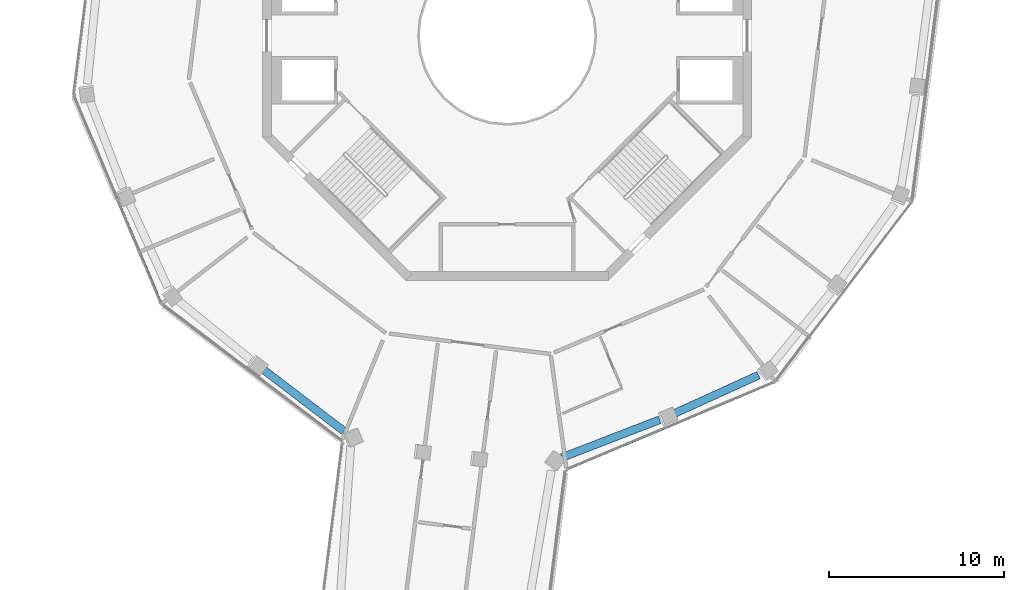
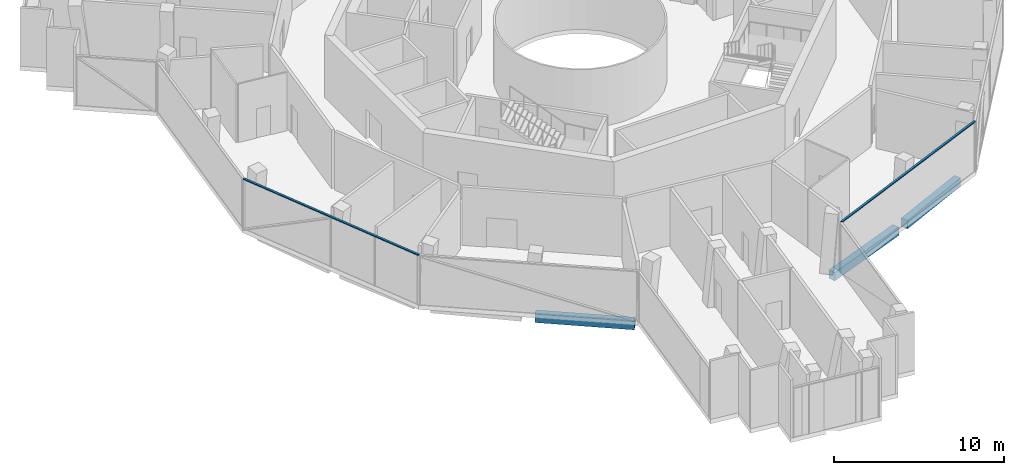
# One storey, part 3 of 18: 3 beams, 2 members, 2 elements without a shape of their own.
"""IFC4 building model written with IfcOpenShell, lengths in metres."""

from ifc_helpers import new_model, si_unit, direction, frame, origin, origin_2d, place, context, subcontext, project, spatial, rectangle, extrude, material, layer, layer_set, material_profile, profile_set, type_object, element, aggregate, save


model = new_model("IFC4")

# Units and contexts
model_context = context("Model", 3, precision=1e-05, world=origin(), true_north=direction((0.0, 1.0)))
body_context = subcontext(model_context, "Body", "Model", "MODEL_VIEW")
ifc_project = project(units=[si_unit("LENGTHUNIT", "METRE"), si_unit("AREAUNIT", "SQUARE_METRE"), si_unit("VOLUMEUNIT", "CUBIC_METRE"), si_unit("PLANEANGLEUNIT", "RADIAN"), si_unit("MASSUNIT", "GRAM", prefix="KILO")], contexts=[model_context])

# Site, building, storey
site_placement = place(None, origin())
site = spatial("IfcSite", under=ifc_project, at=site_placement, CompositionType="ELEMENT")
building_placement = place(site_placement, origin())
building = spatial("IfcBuilding", under=site, at=building_placement, Name="Verdalira Terraces Hotel", CompositionType="ELEMENT")
storey_placement = place(building_placement, frame((0.0, 0.0, 248.0)))
storey = spatial("IfcBuildingStorey", under=building, at=storey_placement, Name="L61", CompositionType="ELEMENT", Elevation=248.0)

# Curtain wall, member
ifc_material_1 = material(Name="Clear glass", Category="glass")
ifc_layer = layer(ifc_material_1, 0.179931640625)
ifc_layer_set = layer_set([ifc_layer], Name="CW4 curtain wall")
curtain_wall_type = type_object("IfcCurtainWallType", Name="CW4 curtain wall", PredefinedType="NOTDEFINED", material=ifc_layer_set)
curtain_wall_1_placement = place(storey_placement, origin())
curtain_wall_1 = element("IfcCurtainWall", 1, at=curtain_wall_1_placement, inside=storey, type_object=curtain_wall_type, Name="CW4 curtain wall L61 edge 12", PredefinedType="NOTDEFINED")
ifc_material_2 = material(Name="Terracotta frame", Category="masonry")
ifc_material_profile_1 = material_profile(ifc_material_2, rectangle(XDim=0.139893, YDim=0.070068, at=origin_2d()), Name="TR 70x140")
ifc_profile_set_1 = profile_set([ifc_material_profile_1], Name="Terracotta frame")
member_type = type_object("IfcMemberType", Name="CW4 transom 70x140", PredefinedType="USERDEFINED", material=ifc_profile_set_1)
member_1_placement = place(storey_placement, frame((-24.810791, -3.422119, 3.554932), z_axis=(0.387517107, -0.921862512, 0.0), x_axis=(0.921862512, 0.387517107, 0.0)))
member_1 = element("IfcMember", 2, at=member_1_placement, type_object=member_type, Name="CW4 transom", ObjectType="TRANSOM", PredefinedType="USERDEFINED", context=body_context, shape_type="SweptSolid", body=[
    extrude(rectangle(XDim=0.139893, YDim=0.070068, at=origin_2d()), origin(), (0.0, 0.0, 1.0), 12.919678),
])
aggregate(curtain_wall_1, [member_1])

curtain_wall_2_placement = place(storey_placement, origin())
curtain_wall_2 = element("IfcCurtainWall", 3, at=curtain_wall_2_placement, inside=storey, type_object=curtain_wall_type, Name="CW4 curtain wall L61 edge 25", PredefinedType="NOTDEFINED")
member_2_placement = place(storey_placement, frame((3.401123, -24.81958, 3.554932), z_axis=(0.921863532, 0.387514682, 0.0), x_axis=(-0.387514682, 0.921863532, 0.0)))
member_2 = element("IfcMember", 4, at=member_2_placement, type_object=member_type, Name="CW4 transom", ObjectType="TRANSOM", PredefinedType="USERDEFINED", context=body_context, shape_type="SweptSolid", body=[
    extrude(rectangle(XDim=0.139893, YDim=0.070068, at=origin_2d()), origin(), (0.0, 0.0, 1.0), 12.942383),
])
aggregate(curtain_wall_2, [member_2])

# Beams
ifc_material_3 = material(Name="Concrete C40", Category="concrete")
ifc_material_profile_2 = material_profile(ifc_material_3, rectangle(XDim=0.449951, YDim=0.600098, at=origin_2d()), Name="RC 450X600")
ifc_profile_set_2 = profile_set([ifc_material_profile_2], Name="Concrete C40")
beam_type = type_object("IfcBeamType", Name="Spandrel beam RC 450X600 C40", PredefinedType="SPANDREL", material=ifc_profile_set_2)
beam_1_placement = place(storey_placement, frame((-14.036133, -19.04834, -0.610107), z_axis=(0.794734019, -0.606957856, 0.0), x_axis=(0.606957856, 0.794734019, 0.0)))
element("IfcBeam", 5, at=beam_1_placement, inside=storey, type_object=beam_type, Name="Spandrel beam B07", PredefinedType="SPANDREL", context=body_context, shape_type="SweptSolid", body=[
    extrude(rectangle(XDim=0.449951, YDim=0.600098, at=origin_2d()), origin(), (0.0, 0.0, 1.0), 5.892334),
])
beam_2_placement = place(storey_placement, frame((3.131104, -24.146729, -0.610107), z_axis=(0.932634811, 0.360821714, 0.0), x_axis=(-0.360821714, 0.932634811, 0.0)))
element("IfcBeam", 6, at=beam_2_placement, inside=storey, type_object=beam_type, Name="Spandrel beam B11", PredefinedType="SPANDREL", context=body_context, shape_type="SweptSolid", body=[
    extrude(rectangle(XDim=0.449951, YDim=0.600098, at=origin_2d()), origin(), (0.0, 0.0, 1.0), 5.999512),
])
beam_3_placement = place(storey_placement, frame((9.484375, -21.663086, -0.610107), z_axis=(0.910268807, 0.414017752, 0.0), x_axis=(-0.414017752, 0.910268807, 0.0)))
element("IfcBeam", 7, at=beam_3_placement, inside=storey, type_object=beam_type, Name="Spandrel beam B12", PredefinedType="SPANDREL", context=body_context, shape_type="SweptSolid", body=[
    extrude(rectangle(XDim=0.449951, YDim=0.600098, at=origin_2d()), origin(), (0.0, 0.0, 1.0), 5.394531),
])

save(model, "model.ifc")
